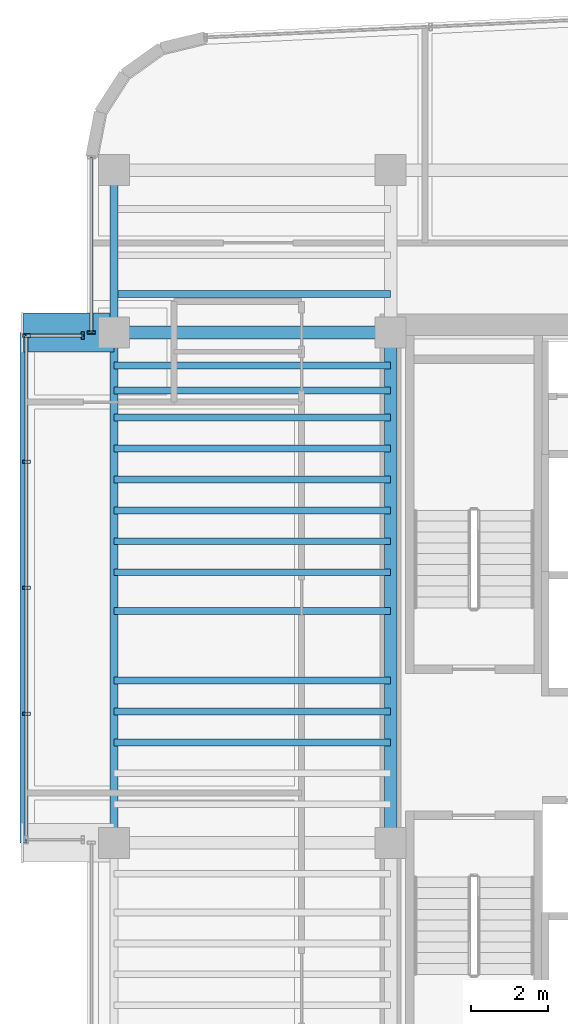
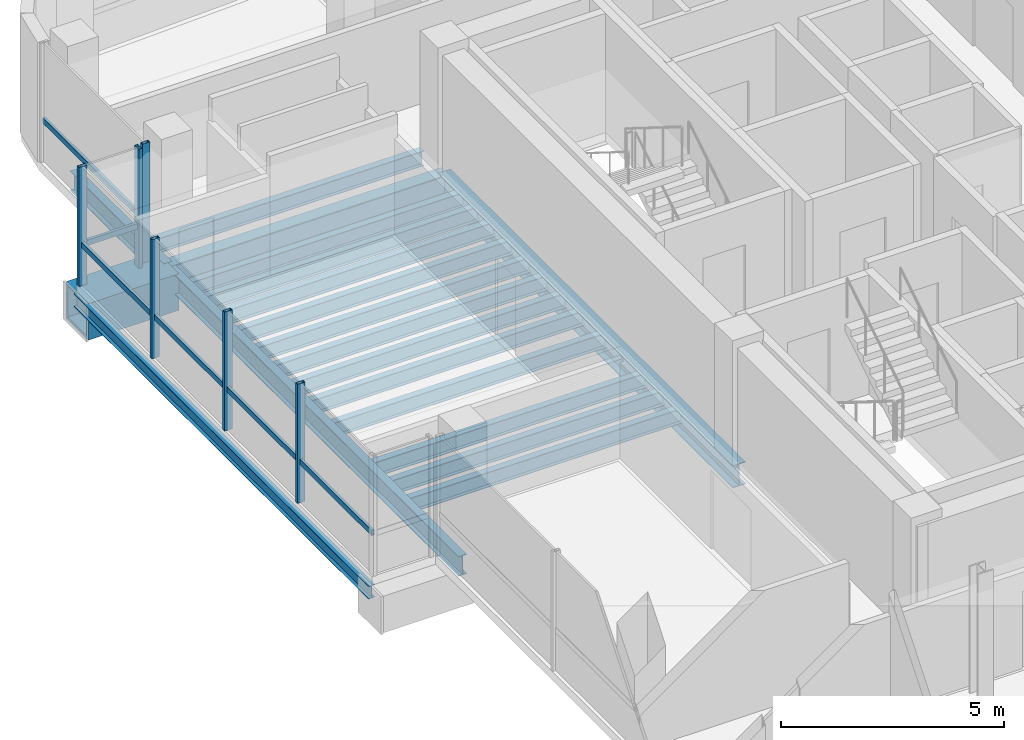
# One storey, part 6 of 18: 19 beams, 9 members, 3 elements without a shape of their own.
"""IFC4 building model written with IfcOpenShell, lengths in metres."""

import ifcopenshell
import ifcopenshell.guid

model = None  # the IFC model being written
_history = None  # IfcOwnerHistory: only IFC2X3 demands one
_inside = {}  # id of a spatial element -> (the spatial element, [elements in it])
_under = {}  # id of a project, library or spatial element -> (it, [spatial elements below it])
_declared = {}  # id of a project -> (the project, [libraries it declares])
_typed = {}  # id of a type object -> (the type object, [elements of that type])
_made_of = {}  # id of a material, layer set ... -> (it, [elements and type objects made of it])


def new_model(schema):
    """Start an empty IFC model of exactly this schema.

    Asked for "IFC4X3", IfcOpenShell would pick the latest addendum, in which some entities
    have other attributes; the version numbers below select the first issue.
    IFC2X3 requires an IfcOwnerHistory on every rooted entity: one is made here for all.
    """
    global model, _history
    if schema == "IFC4X3":
        model = ifcopenshell.file(schema_version=(4, 3, 0, 0))
    else:
        model = ifcopenshell.file(schema=schema)
    _inside.clear()
    _under.clear()
    _declared.clear()
    _typed.clear()
    _made_of.clear()
    _history = None
    if model.schema == "IFC2X3":
        org = make("IfcOrganization", Name="unknown")
        user = make(
            "IfcPersonAndOrganization",
            ThePerson=make("IfcPerson", FamilyName="unknown"),
            TheOrganization=org,
        )
        app = make(
            "IfcApplication",
            ApplicationDeveloper=org,
            Version="unknown",
            ApplicationFullName="unknown",
            ApplicationIdentifier="unknown",
        )
        _history = make(
            "IfcOwnerHistory",
            OwningUser=user,
            OwningApplication=app,
            ChangeAction="ADDED",
            CreationDate=0,
        )
    return model


def make(cls, **values):
    """One entity of the class cls with the attributes given. An attribute that is None is left unset."""
    return model.create_entity(
        cls, **{name: value for name, value in values.items() if value is not None}
    )


def rooted(cls, **values):
    """An entity with a GlobalId (a new one), such as an element, a storey or a relation."""
    return make(cls, GlobalId=ifcopenshell.guid.new(), OwnerHistory=_history, **values)


def si_unit(unit_type, name, prefix=None):
    """IfcSIUnit, for example si_unit("LENGTHUNIT", "METRE", prefix="MILLI")."""
    return make("IfcSIUnit", UnitType=unit_type, Prefix=prefix, Name=name)


def assignment(units):
    """IfcUnitAssignment: the units of a project."""
    return None if units is None else make("IfcUnitAssignment", Units=units)


def point(xyz):
    """IfcCartesianPoint."""
    return None if xyz is None else make("IfcCartesianPoint", Coordinates=xyz)


def direction(xyz):
    """IfcDirection."""
    return None if xyz is None else make("IfcDirection", DirectionRatios=xyz)


def frame(location, z_axis=None, x_axis=None):
    """IfcAxis2Placement3D, a coordinate frame: its origin and axes. An axis left out is left unset."""
    return make(
        "IfcAxis2Placement3D",
        Location=point(location),
        Axis=direction(z_axis),
        RefDirection=direction(x_axis),
    )


def frame_2d(location, x_axis=None):
    """IfcAxis2Placement2D, a coordinate frame in the plane: its origin and x axis."""
    return make(
        "IfcAxis2Placement2D", Location=point(location), RefDirection=direction(x_axis)
    )


def origin():
    """The frame at (0, 0, 0) with its axes left unset."""
    return frame((0.0, 0.0, 0.0))


def origin_2d():
    """The frame at (0, 0) in the plane with its x axis left unset."""
    return frame_2d((0.0, 0.0))


def place(relative_to, where):
    """IfcLocalPlacement: puts the frame where relative to a parent placement (None: the world)."""
    return make(
        "IfcLocalPlacement", PlacementRelTo=relative_to, RelativePlacement=where
    )


def context(
    kind, dimensions, precision=None, world=None, true_north=None, identifier=None
):
    """IfcGeometricRepresentationContext, for example the 3D "Model" context."""
    return make(
        "IfcGeometricRepresentationContext",
        ContextIdentifier=identifier,
        ContextType=kind,
        CoordinateSpaceDimension=dimensions,
        Precision=precision,
        WorldCoordinateSystem=world,
        TrueNorth=true_north,
    )


def subcontext(parent, identifier, kind, view, scale=None):
    """IfcGeometricRepresentationSubContext, for example "Body" below "Model"."""
    return make(
        "IfcGeometricRepresentationSubContext",
        ContextIdentifier=identifier,
        ContextType=kind,
        ParentContext=parent,
        TargetScale=scale,
        TargetView=view,
    )


def project(units=None, contexts=None):
    """IfcProject with its units and contexts."""
    return rooted(
        "IfcProject",
        Name="project",
        RepresentationContexts=contexts,
        UnitsInContext=assignment(units),
    )


def spatial(cls, under=None, at=None, **own):
    """A site, building, storey or space (cls), placed at a placement, below another one or the project."""
    s = rooted(cls, ObjectPlacement=at, **own)
    if under is not None:
        _under.setdefault(under.id(), (under, []))[1].append(s)
    return s


def profile(cls, at=None, kind="AREA", **sizes):
    """A parametric profile (cls). Its sizes go by their IFC names, for example OverallWidth=200.0."""
    return make(cls, ProfileType=kind, Position=at, **sizes)


def hollow_rectangle(**sizes):
    """IfcRectangleHollowProfileDef."""
    return profile("IfcRectangleHollowProfileDef", **sizes)


def i_section(**sizes):
    """IfcIShapeProfileDef."""
    return profile("IfcIShapeProfileDef", **sizes)


def extrude(swept, where, along, depth):
    """IfcExtrudedAreaSolid: the profile swept, set in the frame where, extruded along a direction by depth."""
    return make(
        "IfcExtrudedAreaSolid",
        SweptArea=swept,
        Position=where,
        ExtrudedDirection=direction(along),
        Depth=depth,
    )


def shape(context_of_items, identifier, shape_type, items):
    """IfcShapeRepresentation: the items that make up one representation, for example the "Body"."""
    return make(
        "IfcShapeRepresentation",
        ContextOfItems=context_of_items,
        RepresentationIdentifier=identifier,
        RepresentationType=shape_type,
        Items=items,
    )


def source(mapping_origin, context_of_items, identifier, shape_type, items):
    """IfcRepresentationMap: a shape defined once, which mapped items show again and again."""
    return make(
        "IfcRepresentationMap",
        MappingOrigin=mapping_origin,
        MappedRepresentation=shape(context_of_items, identifier, shape_type, items),
    )


def transform(
    local_origin,
    x_axis=None,
    y_axis=None,
    z_axis=None,
    scale=None,
    scale2=None,
    scale3=None,
    uniform=True,
):
    """IfcCartesianTransformationOperator3D, or its non-uniform kind. x_axis, y_axis, z_axis: its Axis1, 2, 3."""
    if uniform:
        return make(
            "IfcCartesianTransformationOperator3D",
            Axis1=direction(x_axis),
            Axis2=direction(y_axis),
            LocalOrigin=point(local_origin),
            Scale=scale,
            Axis3=direction(z_axis),
        )
    return make(
        "IfcCartesianTransformationOperator3DnonUniform",
        Axis1=direction(x_axis),
        Axis2=direction(y_axis),
        LocalOrigin=point(local_origin),
        Scale=scale,
        Axis3=direction(z_axis),
        Scale2=scale2,
        Scale3=scale3,
    )


def mapped(mapping_source, mapping_target):
    """IfcMappedItem: shows the shape of a source again, moved by a transform."""
    return make(
        "IfcMappedItem", MappingSource=mapping_source, MappingTarget=mapping_target
    )


def material(Name=None, Category=None):
    """IfcMaterial."""
    return make("IfcMaterial", Name=Name, Category=Category)


def material_profile(
    of_material, cross_section, Name=None, Category=None, Priority=None
):
    """IfcMaterialProfile: a cross section and its material."""
    return make(
        "IfcMaterialProfile",
        Name=Name,
        Material=of_material,
        Profile=cross_section,
        Priority=Priority,
        Category=Category,
    )


def profile_set(profiles, Name=None, composite=None):
    """IfcMaterialProfileSet."""
    return make(
        "IfcMaterialProfileSet",
        Name=Name,
        MaterialProfiles=profiles,
        CompositeProfile=composite,
    )


def made_of(thing, what):
    """Note that an element or type object is made of a material, layer set ...; save() writes the relation."""
    if what is not None:
        _made_of.setdefault(what.id(), (what, []))[1].append(thing)
    return thing


def type_object(cls, material=None, **own):
    """A type object (cls), such as IfcWallType, which elements share."""
    return made_of(rooted(cls, **own), material)


def element(
    cls,
    number,
    at=None,
    inside=None,
    cuts=None,
    type_object=None,
    material=None,
    context=None,
    identifier="Body",
    shape_type=None,
    held_by="IfcProductDefinitionShape",
    body=None,
    shapes=None,
    **own,
):
    """One element of the class cls, such as IfcWall. Its Tag is "e" and its number.

    at: its placement. inside: the storey or other place that contains it. cuts: it is an
    opening in that element (IfcRelVoidsElement). A single representation is given by context,
    identifier, shape_type and body (its items); several are given by shapes. held_by: the class
    of the entity that holds the representations. save() writes the other relations.
    """
    e = rooted(cls, Tag="e%d" % number, ObjectPlacement=at, **own)
    if body is not None:
        shapes = [shape(context, identifier, shape_type, body)]
    if shapes is not None:
        e.Representation = make(held_by, Representations=shapes)
    if inside is not None:
        _inside.setdefault(inside.id(), (inside, []))[1].append(e)
    if cuts is not None:
        rooted(
            "IfcRelVoidsElement", RelatingBuildingElement=cuts, RelatedOpeningElement=e
        )
    if type_object is not None:
        _typed.setdefault(type_object.id(), (type_object, []))[1].append(e)
    return made_of(e, material)


def aggregate(whole, parts):
    """IfcRelAggregates: a whole, such as a stair, and the parts it consists of."""
    return rooted("IfcRelAggregates", RelatingObject=whole, RelatedObjects=parts)


def save(model, path):
    """Write the relations noted so far, then the file.

    IfcRelAggregates (storeys below a building ...), IfcRelContainedInSpatialStructure (elements
    in a storey), IfcRelDefinesByType, IfcRelAssociatesMaterial and IfcRelDeclares: one each for
    every whole, place, type object, material and project.
    """
    for whole, parts in _under.values():
        aggregate(whole, parts)
    for where, things in _inside.values():
        rooted(
            "IfcRelContainedInSpatialStructure",
            RelatedElements=things,
            RelatingStructure=where,
        )
    for kind, things in _typed.values():
        rooted("IfcRelDefinesByType", RelatedObjects=things, RelatingType=kind)
    for what, things in _made_of.values():
        rooted("IfcRelAssociatesMaterial", RelatedObjects=things, RelatingMaterial=what)
    for by, libraries in _declared.values():
        rooted("IfcRelDeclares", RelatingContext=by, RelatedDefinitions=libraries)
    model.write(path)


model = new_model("IFC4")

# Units and contexts
model_context = context("Model", 3, precision=1e-05, world=origin(), true_north=direction((0.0, 1.0)))
body_context = subcontext(model_context, "Body", "Model", "MODEL_VIEW")
ifc_project = project(units=[si_unit("LENGTHUNIT", "METRE"), si_unit("AREAUNIT", "SQUARE_METRE"), si_unit("VOLUMEUNIT", "CUBIC_METRE"), si_unit("PLANEANGLEUNIT", "RADIAN"), si_unit("MASSUNIT", "GRAM", prefix="KILO")], contexts=[model_context])

# Site, building, storey
site_placement = place(None, origin())
site = spatial("IfcSite", under=ifc_project, at=site_placement, CompositionType="ELEMENT")
building_placement = place(site_placement, origin())
building = spatial("IfcBuilding", under=site, at=building_placement, Name="Valdorenza Pilgrim Sanctuary Tower", CompositionType="ELEMENT")
storey_placement = place(building_placement, frame((0.0, 0.0, 276.5)))
storey = spatial("IfcBuildingStorey", under=building, at=storey_placement, Name="L72", CompositionType="ELEMENT", Elevation=276.5)

# Beams
ifc_material_1 = material(Name="Steel ASTM A992 Grade 50", Category="steel")
ifc_material_profile_1 = material_profile(ifc_material_1, i_section(OverallWidth=0.323974609375, OverallDepth=0.611083984375, WebThickness=0.0126953125, FlangeThickness=0.01904296875, at=origin_2d()), Name="W24X104")
ifc_profile_set_1 = profile_set([ifc_material_profile_1], Name="Steel ASTM A992 Grade 50")
beam_type_1 = type_object("IfcBeamType", Name="STR-BM-GRD-W24B", PredefinedType="BEAM", material=ifc_profile_set_1)
shared_shape_1 = source(origin(), body_context, "Body", "SweptSolid", [
    extrude(i_section(OverallWidth=0.323974609375, OverallDepth=0.611083984375, WebThickness=0.0126953125, FlangeThickness=0.01904296875, at=origin_2d()), origin(), (0.0, 0.0, 1.0), 13.2001953125),
])
beam_1_placement = place(storey_placement, frame((-22.64990234375, -2.60009765625, -0.54541015625), z_axis=(0.0, 1.0, 0.0), x_axis=(-1.0, 0.0, 0.0)))
element("IfcBeam", 1, at=beam_1_placement, inside=storey, type_object=beam_type_1, Name="L72 Core Tie Girder CA-W-M0N1", PredefinedType="BEAM", context=body_context, shape_type="MappedRepresentation", body=[
    mapped(shared_shape_1, transform((0.0, 0.0, 0.0), x_axis=(1.0, 0.0, 0.0), y_axis=(0.0, 1.0, 0.0), z_axis=(0.0, 0.0, 1.0), scale=1.0)),
])
ifc_material_profile_2 = material_profile(ifc_material_1, i_section(OverallWidth=0.1708984375, OverallDepth=0.35107421875, WebThickness=0.0068359375, FlangeThickness=0.009765625, at=origin_2d()), Name="W14X30")
ifc_profile_set_2 = profile_set([ifc_material_profile_2], Name="Steel ASTM A992 Grade 50")
beam_type_2 = type_object("IfcBeamType", Name="STR-BM-BOX-W14", PredefinedType="BEAM", material=ifc_profile_set_2)
shared_shape_2 = source(origin(), body_context, "Body", "SweptSolid", [
    extrude(i_section(OverallWidth=0.1708984375, OverallDepth=0.35107421875, WebThickness=0.0068359375, FlangeThickness=0.009765625, at=origin_2d()), origin(), (0.0, 0.0, 1.0), 13.2001953125),
])
beam_2_placement = place(storey_placement, frame((-32.14990234375, -2.60009765625, -0.41552734375), z_axis=(0.0, 1.0, 0.0), x_axis=(-1.0, 0.0, 0.0)))
element("IfcBeam", 2, at=beam_2_placement, inside=storey, type_object=beam_type_2, Name="L72 Glass Box Edge Beam BOX-WA-L72-F", PredefinedType="BEAM", context=body_context, shape_type="MappedRepresentation", body=[
    mapped(shared_shape_2, transform((0.0, 0.0, 0.0), x_axis=(1.0, 0.0, 0.0), y_axis=(0.0, 1.0, 0.0), z_axis=(0.0, 0.0, 1.0), scale=1.0)),
])
ifc_material_profile_3 = material_profile(ifc_material_1, i_section(OverallWidth=0.2109375, OverallDepth=0.5390625, WebThickness=0.01171875, FlangeThickness=0.018798828125, at=origin_2d()), Name="W21X73")
ifc_profile_set_3 = profile_set([ifc_material_profile_3], Name="Steel ASTM A992 Grade 50")
beam_type_3 = type_object("IfcBeamType", Name="STR-BM-SPN-W21B", PredefinedType="SPANDREL", material=ifc_profile_set_3)
shared_shape_3 = source(origin(), body_context, "Body", "SweptSolid", [
    extrude(i_section(OverallWidth=0.2109375, OverallDepth=0.5390625, WebThickness=0.01171875, FlangeThickness=0.018798828125, at=origin_2d()), origin(), (0.0, 0.0, 1.0), 13.2001953125),
])
beam_3_placement = place(storey_placement, frame((-29.800048828125, -2.60009765625, -0.509521484375), z_axis=(0.0, 1.0, 0.0), x_axis=(-1.0, 0.0, 0.0)))
element("IfcBeam", 3, at=beam_3_placement, inside=storey, type_object=beam_type_3, Name="L72 Spandrel Beam WA-W-M0N1", PredefinedType="SPANDREL", context=body_context, shape_type="MappedRepresentation", body=[
    mapped(shared_shape_3, transform((0.0, 0.0, 0.0), x_axis=(1.0, 0.0, 0.0), y_axis=(0.0, 1.0, 0.0), z_axis=(0.0, 0.0, 1.0), scale=1.0)),
])
shared_shape_4 = source(origin(), body_context, "Body", "SweptSolid", [
    extrude(i_section(OverallWidth=0.2109375, OverallDepth=0.5390625, WebThickness=0.01171875, FlangeThickness=0.018798828125, at=origin_2d()), origin(), (0.0, 0.0, 1.0), 4.199951171875),
])
beam_4_placement = place(storey_placement, frame((-29.800048828125, 10.60009765625, -0.509521484375), z_axis=(0.0, 1.0, 0.0), x_axis=(-1.0, 0.0, 0.0)))
element("IfcBeam", 4, at=beam_4_placement, inside=storey, type_object=beam_type_3, Name="L72 Spandrel Beam WA-W-N1N2", PredefinedType="SPANDREL", context=body_context, shape_type="MappedRepresentation", body=[
    mapped(shared_shape_4, transform((0.0, 0.0, 0.0), x_axis=(1.0, 0.0, 0.0), y_axis=(0.0, 1.0, 0.0), z_axis=(0.0, 0.0, 1.0), scale=1.0)),
])
ifc_material_profile_4 = material_profile(ifc_material_1, i_section(OverallWidth=0.177978515625, OverallDepth=0.406005859375, WebThickness=0.0078125, FlangeThickness=0.0126953125, at=origin_2d()), Name="W16X40")
ifc_profile_set_4 = profile_set([ifc_material_profile_4], Name="Steel ASTM A992 Grade 50")
beam_type_4 = type_object("IfcBeamType", Name="STR-BM-JST-W16", PredefinedType="JOIST", material=ifc_profile_set_4)
shared_shape_5 = source(origin(), body_context, "Body", "SweptSolid", [
    extrude(i_section(OverallWidth=0.177978515625, OverallDepth=0.406005859375, WebThickness=0.0078125, FlangeThickness=0.0126953125, at=origin_2d()), origin(), (0.0, 0.0, 1.0), 7.150146484375),
])
for number, where, z_axis, x_axis, name in (
    (5, (-29.800048828125, 0.0, -0.443115234375), (1.0, 0.0, 0.0), (0.0, 1.0, 0.0), "L72 Composite Floor Joist JST-WA-12"),
    (6, (-29.800048828125, 0.800048828125, -0.443115234375), (1.0, 0.0, 0.0), (0.0, 1.0, 0.0), "L72 Composite Floor Joist JST-WA-13"),
    (7, (-29.800048828125, 1.60009765625, -0.443115234375), (1.0, 0.0, 0.0), (0.0, 1.0, 0.0), "L72 Composite Floor Joist JST-WA-14"),
    (8, (-29.800048828125, 3.39990234375, -0.443115234375), (1.0, 0.0, 0.0), (0.0, 1.0, 0.0), "L72 Composite Floor Joist JST-WA-15"),
    (9, (-29.800048828125, 4.39990234375, -0.443115234375), (1.0, 0.0, 0.0), (0.0, 1.0, 0.0), "L72 Composite Floor Joist JST-WA-16"),
    (10, (-29.800048828125, 5.199951171875, -0.443115234375), (1.0, 0.0, 0.0), (0.0, 1.0, 0.0), "L72 Composite Floor Joist JST-WA-17"),
    (11, (-29.800048828125, 6.0, -0.443115234375), (1.0, 0.0, 0.0), (0.0, 1.0, 0.0), "L72 Composite Floor Joist JST-WA-18"),
    (12, (-29.800048828125, 6.800048828125, -0.443115234375), (1.0, 0.0, 0.0), (0.0, 1.0, 0.0), "L72 Composite Floor Joist JST-WA-19"),
    (13, (-29.800048828125, 7.60009765625, -0.443115234375), (1.0, 0.0, 0.0), (0.0, 1.0, 0.0), "L72 Composite Floor Joist JST-WA-20"),
    (14, (-29.800048828125, 8.39990234375, -0.443115234375), (1.0, 0.0, 0.0), (0.0, 1.0, 0.0), "L72 Composite Floor Joist JST-WA-21"),
    (15, (-29.800048828125, 9.10009765625, -0.443115234375), (1.0, 0.0, 0.0), (0.0, 1.0, 0.0), "L72 Composite Floor Joist JST-WA-22"),
    (16, (-29.800048828125, 9.75, -0.443115234375), (1.0, 0.0, 0.0), (0.0, 1.0, 0.0), "L72 Composite Floor Joist JST-WA-23"),
    (17, (-29.800048828125, 11.60009765625, -0.443115234375), (1.0, 0.0, 0.0), (0.0, 1.0, 0.0), "L72 Composite Floor Joist JST-WA-24"),
):
    element("IfcBeam", number, at=place(storey_placement, frame(where, z_axis=z_axis, x_axis=x_axis)), inside=storey, type_object=beam_type_4, Name=name, PredefinedType="JOIST", context=body_context, shape_type="MappedRepresentation", body=[
        mapped(shared_shape_5, transform((0.0, 0.0, 0.0), x_axis=(1.0, 0.0, 0.0), y_axis=(0.0, 1.0, 0.0), z_axis=(0.0, 0.0, 1.0), scale=1.0)),
    ])
ifc_material_2 = material(Name="Steel ASTM A572 Grade 42", Category="steel")
ifc_material_profile_5 = material_profile(ifc_material_2, hollow_rectangle(XDim=1.0, YDim=1.0, WallThickness=0.080078125, at=origin_2d()), Name="BOX 1000x1000x80")
ifc_profile_set_5 = profile_set([ifc_material_profile_5], Name="Steel ASTM A572 Grade 42")
beam_type_5 = type_object("IfcBeamType", Name="STR-BM-PROW-CANT", PredefinedType="BEAM", material=ifc_profile_set_5)
shared_shape_6 = source(origin(), body_context, "Body", "SweptSolid", [
    extrude(hollow_rectangle(XDim=1.0, YDim=1.0, WallThickness=0.080078125, at=origin_2d()), origin(), (0.0, 0.0, 1.0), 2.349853515625),
])
beam_5_placement = place(storey_placement, frame((-29.800048828125, 10.60009765625, -0.739990234375), z_axis=(-1.0, 0.0, 0.0), x_axis=(0.0, -1.0, 0.0)))
element("IfcBeam", 18, at=beam_5_placement, inside=storey, type_object=beam_type_5, Name="L72 Glass Box Cantilever Beam BOX-WA-L72-CT-N", PredefinedType="BEAM", context=body_context, shape_type="MappedRepresentation", body=[
    mapped(shared_shape_6, transform((0.0, 0.0, 0.0), x_axis=(1.0, 0.0, 0.0), y_axis=(0.0, 1.0, 0.0), z_axis=(0.0, 0.0, 1.0), scale=1.0)),
])
ifc_material_profile_6 = material_profile(ifc_material_1, i_section(OverallWidth=0.326904296875, OverallDepth=0.6220703125, WebThickness=0.015380859375, FlangeThickness=0.0244140625, at=origin_2d()), Name="W24X131")
ifc_profile_set_6 = profile_set([ifc_material_profile_6], Name="Steel ASTM A992 Grade 50")
beam_type_6 = type_object("IfcBeamType", Name="STR-BM-GRD-W24A", PredefinedType="BEAM", material=ifc_profile_set_6)
shared_shape_7 = source(origin(), body_context, "Body", "SweptSolid", [
    extrude(i_section(OverallWidth=0.326904296875, OverallDepth=0.6220703125, WebThickness=0.015380859375, FlangeThickness=0.0244140625, at=origin_2d()), origin(), (0.0, 0.0, 1.0), 7.150146484375),
])
beam_6_placement = place(storey_placement, frame((-29.800048828125, 10.60009765625, -0.551025390625), z_axis=(1.0, 0.0, 0.0), x_axis=(0.0, 1.0, 0.0)))
element("IfcBeam", 19, at=beam_6_placement, inside=storey, type_object=beam_type_6, Name="L72 Floor Girder WA-XW-N1", PredefinedType="BEAM", context=body_context, shape_type="MappedRepresentation", body=[
    mapped(shared_shape_7, transform((0.0, 0.0, 0.0), x_axis=(1.0, 0.0, 0.0), y_axis=(0.0, 1.0, 0.0), z_axis=(0.0, 0.0, 1.0), scale=1.0)),
])

# Curtain wall, member
ifc_material_3 = material(Name="Curtain-wall IGU glazing", Category="glass")
curtain_wall_type = type_object("IfcCurtainWallType", Name="CW-SYS-02", PredefinedType="NOTDEFINED", material=ifc_material_3)
curtain_wall_1_placement = place(storey_placement, origin())
curtain_wall_1 = element("IfcCurtainWall", 20, at=curtain_wall_1_placement, inside=storey, type_object=curtain_wall_type, Name="L72 Curtain Wall CW-L72-BOX-WA-L72-N", PredefinedType="NOTDEFINED")
ifc_material_4 = material(Name="Anodised aluminium AW-6060", Category="aluminium")
ifc_material_profile_7 = material_profile(ifc_material_4, hollow_rectangle(XDim=0.074951171875, YDim=0.14990234375, WallThickness=0.00390625, at=origin_2d()), Name="ALU-T 150x75x4")
ifc_profile_set_7 = profile_set([ifc_material_profile_7], Name="Anodised aluminium AW-6060")
member_type_1 = type_object("IfcMemberType", Name="CW-TRN-02", PredefinedType="USERDEFINED", material=ifc_profile_set_7)
shared_shape_8 = source(origin(), body_context, "Body", "SweptSolid", [
    extrude(hollow_rectangle(XDim=0.074951171875, YDim=0.14990234375, WallThickness=0.00390625, at=origin_2d()), origin(), (0.0, 0.0, 1.0), 1.4599609375),
])
member_1_placement = place(storey_placement, frame((-32.070068359375, 10.52001953125, 1.1201171875), z_axis=(1.0, 0.0, 0.0), x_axis=(0.0, 1.0, 0.0)))
member_1 = element("IfcMember", 21, at=member_1_placement, type_object=member_type_1, Name="CW-L72-BOX-WA-L72-N Transom 1", ObjectType="TRANSOM", PredefinedType="USERDEFINED", context=body_context, shape_type="MappedRepresentation", body=[
    mapped(shared_shape_8, transform((0.0, 0.0, 0.0), x_axis=(1.0, 0.0, 0.0), y_axis=(0.0, 1.0, 0.0), z_axis=(0.0, 0.0, 1.0), scale=1.0)),
])

curtain_wall_2_placement = place(storey_placement, origin())
curtain_wall_2 = element("IfcCurtainWall", 22, at=curtain_wall_2_placement, inside=storey, type_object=curtain_wall_type, Name="L72 Curtain Wall CW-L72-BOX-WA-L72-F", PredefinedType="NOTDEFINED")
shared_shape_9 = source(origin(), body_context, "Body", "SweptSolid", [
    extrude(hollow_rectangle(XDim=0.074951171875, YDim=0.14990234375, WallThickness=0.00390625, at=origin_2d()), origin(), (0.0, 0.0, 1.0), 13.0400390625),
])
member_2_placement = place(storey_placement, frame((-32.070068359375, -2.52001953125, 1.1201171875), z_axis=(0.0, 1.0, 0.0), x_axis=(-1.0, 0.0, 0.0)))
member_2 = element("IfcMember", 23, at=member_2_placement, type_object=member_type_1, Name="CW-L72-BOX-WA-L72-F Transom 1", ObjectType="TRANSOM", PredefinedType="USERDEFINED", context=body_context, shape_type="MappedRepresentation", body=[
    mapped(shared_shape_9, transform((0.0, 0.0, 0.0), x_axis=(1.0, 0.0, 0.0), y_axis=(0.0, 1.0, 0.0), z_axis=(0.0, 0.0, 1.0), scale=1.0)),
])

curtain_wall_3_placement = place(storey_placement, origin())
curtain_wall_3 = element("IfcCurtainWall", 24, at=curtain_wall_3_placement, inside=storey, type_object=curtain_wall_type, Name="L72 Curtain Wall CW-L72-1-1S2", PredefinedType="NOTDEFINED")
ifc_material_profile_8 = material_profile(ifc_material_4, hollow_rectangle(XDim=0.0849609375, YDim=0.199951171875, WallThickness=0.0048828125, at=origin_2d()), Name="ALU-M 200x85x5")
ifc_profile_set_8 = profile_set([ifc_material_profile_8], Name="Anodised aluminium AW-6060")
member_type_2 = type_object("IfcMemberType", Name="CW-MUL-02", PredefinedType="MULLION", material=ifc_profile_set_8)
shared_shape_10 = source(origin(), body_context, "Body", "SweptSolid", [
    extrude(hollow_rectangle(XDim=0.0849609375, YDim=0.199951171875, WallThickness=0.0048828125, at=origin_2d()), origin(), (0.0, 0.0, 1.0), 3.260009765625),
])
member_3_placement = place(storey_placement, frame((-30.389892578125, 10.60009765625, 0.0), z_axis=(0.0, 0.0, 1.0), x_axis=(0.0, 1.0, 0.0)))
member_3 = element("IfcMember", 25, at=member_3_placement, type_object=member_type_2, Name="CW-L72-1-1S2 Mullion 1", PredefinedType="MULLION", context=body_context, shape_type="MappedRepresentation", body=[
    mapped(shared_shape_10, transform((0.0, 0.0, 0.0), x_axis=(1.0, 0.0, 0.0), y_axis=(0.0, 1.0, 0.0), z_axis=(0.0, 0.0, 1.0), scale=1.0)),
])

# Member
member_4_placement = place(storey_placement, frame((-32.070068359375, 0.739990234375, 0.0), z_axis=(0.0, 0.0, 1.0), x_axis=(0.0, 1.0, 0.0)))
member_4 = element("IfcMember", 26, at=member_4_placement, type_object=member_type_2, Name="CW-L72-BOX-WA-L72-F Mullion 2", PredefinedType="MULLION", context=body_context, shape_type="MappedRepresentation", body=[
    mapped(shared_shape_10, transform((0.0, 0.0, 0.0), x_axis=(1.0, 0.0, 0.0), y_axis=(0.0, 1.0, 0.0), z_axis=(0.0, 0.0, 1.0), scale=1.0)),
])

member_5_placement = place(storey_placement, frame((-32.070068359375, 4.0, 0.0), z_axis=(0.0, 0.0, 1.0), x_axis=(0.0, 1.0, 0.0)))
member_5 = element("IfcMember", 27, at=member_5_placement, type_object=member_type_2, Name="CW-L72-BOX-WA-L72-F Mullion 3", PredefinedType="MULLION", context=body_context, shape_type="MappedRepresentation", body=[
    mapped(shared_shape_10, transform((0.0, 0.0, 0.0), x_axis=(1.0, 0.0, 0.0), y_axis=(0.0, 1.0, 0.0), z_axis=(0.0, 0.0, 1.0), scale=1.0)),
])

member_6_placement = place(storey_placement, frame((-32.070068359375, 7.260009765625, 0.0), z_axis=(0.0, 0.0, 1.0), x_axis=(0.0, 1.0, 0.0)))
member_6 = element("IfcMember", 28, at=member_6_placement, type_object=member_type_2, Name="CW-L72-BOX-WA-L72-F Mullion 4", PredefinedType="MULLION", context=body_context, shape_type="MappedRepresentation", body=[
    mapped(shared_shape_10, transform((0.0, 0.0, 0.0), x_axis=(1.0, 0.0, 0.0), y_axis=(0.0, 1.0, 0.0), z_axis=(0.0, 0.0, 1.0), scale=1.0)),
])

member_7_placement = place(storey_placement, frame((-32.070068359375, 10.52001953125, 0.0), z_axis=(0.0, 0.0, 1.0), x_axis=(0.0, 1.0, 0.0)))
member_7 = element("IfcMember", 29, at=member_7_placement, type_object=member_type_2, Name="CW-L72-BOX-WA-L72-F Mullion 5", PredefinedType="MULLION", context=body_context, shape_type="MappedRepresentation", body=[
    mapped(shared_shape_10, transform((0.0, 0.0, 0.0), x_axis=(1.0, 0.0, 0.0), y_axis=(0.0, 1.0, 0.0), z_axis=(0.0, 0.0, 1.0), scale=1.0)),
])

aggregate(curtain_wall_2, [member_4, member_5, member_6, member_7, member_2])

member_8_placement = place(storey_placement, frame((-30.610107421875, 10.52001953125, 0.0), z_axis=(0.0, 0.0, 1.0), x_axis=(1.0, 0.0, 0.0)))
member_8 = element("IfcMember", 30, at=member_8_placement, type_object=member_type_2, Name="CW-L72-BOX-WA-L72-N Mullion 2", PredefinedType="MULLION", context=body_context, shape_type="MappedRepresentation", body=[
    mapped(shared_shape_10, transform((0.0, 0.0, 0.0), x_axis=(1.0, 0.0, 0.0), y_axis=(0.0, 1.0, 0.0), z_axis=(0.0, 0.0, 1.0), scale=1.0)),
])

aggregate(curtain_wall_1, [member_8, member_1])

shared_shape_11 = source(origin(), body_context, "Body", "SweptSolid", [
    extrude(hollow_rectangle(XDim=0.074951171875, YDim=0.14990234375, WallThickness=0.00390625, at=origin_2d()), origin(), (0.0, 0.0, 1.0), 4.53662109375),
])
member_9_placement = place(storey_placement, frame((-30.389892578125, 10.60009765625, 1.1201171875), z_axis=(0.0, 1.0, 0.0), x_axis=(-1.0, 0.0, 0.0)))
member_9 = element("IfcMember", 31, at=member_9_placement, type_object=member_type_1, Name="CW-L72-1-1S2 Transom 1", ObjectType="TRANSOM", PredefinedType="USERDEFINED", context=body_context, shape_type="MappedRepresentation", body=[
    mapped(shared_shape_11, transform((0.0, 0.0, 0.0), x_axis=(1.0, 0.0, 0.0), y_axis=(0.0, 1.0, 0.0), z_axis=(0.0, 0.0, 1.0), scale=1.0)),
])

aggregate(curtain_wall_3, [member_3, member_9])

save(model, "model.ifc")
